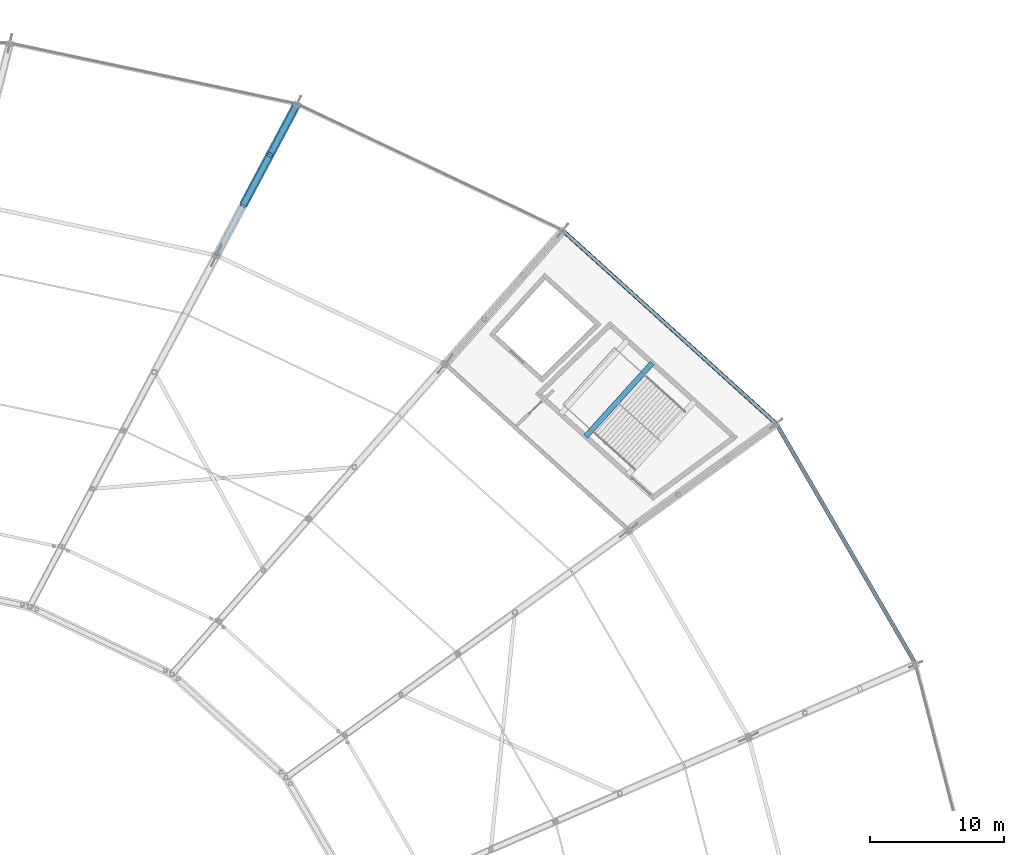
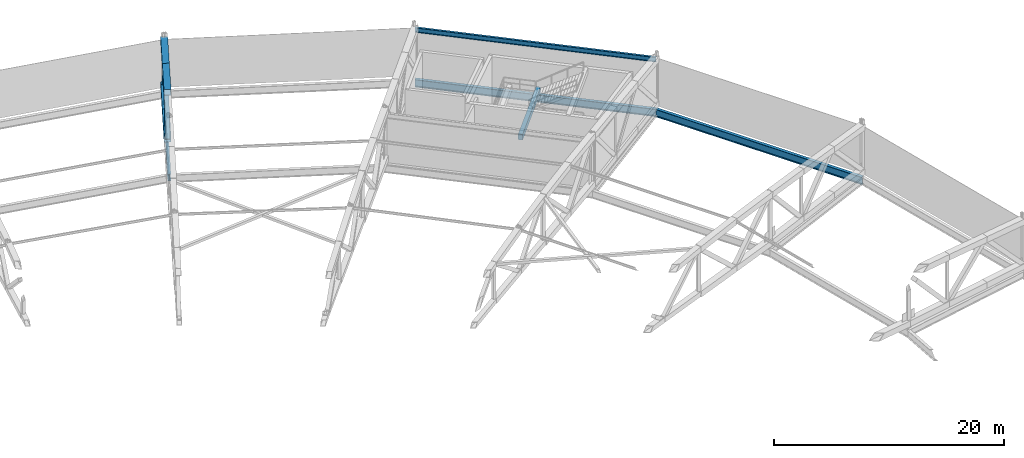
# One storey, part 89 of 162: 6 members, 5 beams.
"""IFC4 building model written with IfcOpenShell, lengths in metres."""

from ifc_helpers import new_model, si_unit, direction, frame, origin, origin_2d, place, context, subcontext, project, spatial, rectangle, hollow_rectangle, i_section, extrude, material, material_profile, profile_set, type_object, element, save


model = new_model("IFC4")

# Units and contexts
model_context = context("Model", 3, precision=1e-05, world=origin(), true_north=direction((0.0, 1.0)))
body_context = subcontext(model_context, "Body", "Model", "MODEL_VIEW")
ifc_project = project(units=[si_unit("LENGTHUNIT", "METRE"), si_unit("AREAUNIT", "SQUARE_METRE"), si_unit("VOLUMEUNIT", "CUBIC_METRE"), si_unit("PLANEANGLEUNIT", "RADIAN"), si_unit("MASSUNIT", "GRAM", prefix="KILO")], contexts=[model_context])

# Site, building, storey
site_placement = place(None, origin())
site = spatial("IfcSite", under=ifc_project, at=site_placement, CompositionType="ELEMENT")
building_placement = place(site_placement, origin())
building = spatial("IfcBuilding", under=site, at=building_placement, Name="Kazemori Nagisa Stadium", CompositionType="ELEMENT")
storey_placement = place(building_placement, frame((0.0, 0.0, 36.719970703125)))
storey = spatial("IfcBuildingStorey", under=building, at=storey_placement, Name="RF", CompositionType="ELEMENT", Elevation=36.719970703125)

# Beams
ifc_material_1 = material(Name="Steel SN490B", Category="steel")
ifc_material_profile_1 = material_profile(ifc_material_1, i_section(OverallWidth=0.199951171875, OverallDepth=0.5, WebThickness=0.010009765625, FlangeThickness=0.01611328125, FilletRadius=0.012939453125, at=origin_2d()), Name="H-500x200x10x16")
ifc_profile_set_1 = profile_set([ifc_material_profile_1], Name="Steel SN490B")
beam_type_1 = type_object("IfcBeamType", Name="Beam_BG-H500", PredefinedType="BEAM", material=ifc_profile_set_1)
beam_1_placement = place(storey_placement, frame((201.495361328125, 158.667724609375, 4.93994140625), z_axis=(-0.741351531326, 0.671116910084, 0.0), x_axis=(-0.671116910084, -0.741351531326, 0.0)))
element("IfcBeam", 1, at=beam_1_placement, inside=storey, type_object=beam_type_1, Name="Headhouse roof beam BG-H500 B04-out", PredefinedType="BEAM", context=body_context, shape_type="SweptSolid", body=[
    extrude(i_section(OverallWidth=0.199951171875, OverallDepth=0.5, WebThickness=0.010009765625, FlangeThickness=0.01611328125, FilletRadius=0.012939453125, at=origin_2d()), origin(), (0.0, 0.0, 1.0), 21.44384765625),
])
ifc_material_profile_2 = material_profile(ifc_material_1, i_section(OverallWidth=0.300048828125, OverallDepth=0.699951171875, WebThickness=0.012939453125, FlangeThickness=0.02392578125, FilletRadius=0.01806640625, at=origin_2d()), Name="H-700x300x13x24")
ifc_profile_set_2 = profile_set([ifc_material_profile_2], Name="Steel SN490B")
beam_type_2 = type_object("IfcBeamType", Name="Beam_BG-H700", PredefinedType="BEAM", material=ifc_profile_set_2)
beam_2_placement = place(storey_placement, frame((159.81201171875, 171.19921875, -0.6298828125), z_axis=(0.469648511848, 0.882853484628, 0.0), x_axis=(-0.882853484628, 0.469648511848, 0.0)))
element("IfcBeam", 2, at=beam_2_placement, inside=storey, type_object=beam_type_2, Name="Radial girder BG-H700 RF R2-R3-06", PredefinedType="BEAM", context=body_context, shape_type="SweptSolid", body=[
    extrude(i_section(OverallWidth=0.300048828125, OverallDepth=0.699951171875, WebThickness=0.012939453125, FlangeThickness=0.02392578125, FilletRadius=0.01806640625, at=origin_2d()), origin(), (0.0, 0.0, 1.0), 12.760009765625),
])
ifc_material_profile_3 = material_profile(ifc_material_1, i_section(OverallWidth=0.300048828125, OverallDepth=0.800048828125, WebThickness=0.013916015625, FlangeThickness=0.02587890625, FilletRadius=0.01806640625, at=origin_2d()), Name="H-800x300x14x26")
ifc_profile_set_3 = profile_set([ifc_material_profile_3], Name="Steel SN490B")
beam_type_3 = type_object("IfcBeamType", Name="Beam_BG-H800", PredefinedType="BEAM", material=ifc_profile_set_3)
beam_3_placement = place(storey_placement, frame((211.885009765625, 140.74951171875, -0.679931640625), z_axis=(-0.50161277459, 0.8650922635, 0.0), x_axis=(-0.8650922635, -0.50161277459, 0.0)))
element("IfcBeam", 3, at=beam_3_placement, inside=storey, type_object=beam_type_3, Name="Roof compression ring beam BG-H800 R3-03", PredefinedType="BEAM", context=body_context, shape_type="SweptSolid", body=[
    extrude(i_section(OverallWidth=0.300048828125, OverallDepth=0.800048828125, WebThickness=0.013916015625, FlangeThickness=0.02587890625, FilletRadius=0.01806640625, at=origin_2d()), origin(), (0.0, 0.0, 1.0), 20.71240234375),
])
beam_4_placement = place(storey_placement, frame((201.495361328125, 158.667724609375, -0.679931640625), z_axis=(-0.741351531326, 0.671116910084, 0.0), x_axis=(-0.671116910084, -0.741351531326, 0.0)))
element("IfcBeam", 4, at=beam_4_placement, inside=storey, type_object=beam_type_3, Name="Roof compression ring beam BG-H800 R3-04", PredefinedType="BEAM", context=body_context, shape_type="SweptSolid", body=[
    extrude(i_section(OverallWidth=0.300048828125, OverallDepth=0.800048828125, WebThickness=0.013916015625, FlangeThickness=0.02587890625, FilletRadius=0.01806640625, at=origin_2d()), origin(), (0.0, 0.0, 1.0), 21.44384765625),
])
ifc_material_2 = material(Name="Concrete C40/50 (Fc42)", Category="concrete")
ifc_material_profile_4 = material_profile(ifc_material_2, rectangle(XDim=0.39990234375, YDim=0.60009765625, at=origin_2d()), Name="RC-BM-400x600")
ifc_profile_set_4 = profile_set([ifc_material_profile_4], Name="Concrete C40/50 (Fc42)")
beam_type_4 = type_object("IfcBeamType", Name="Beam_BG-LND400X600", PredefinedType="BEAM", material=ifc_profile_set_4)
beam_5_placement = place(storey_placement, frame((187.307373046875, 157.717041015625, 2.219970703125), z_axis=(0.671129682405, 0.741339968837, 0.0), x_axis=(-0.741339968837, 0.671129682405, 0.0)))
element("IfcBeam", 5, at=beam_5_placement, inside=storey, type_object=beam_type_4, Name="Core stair mid-landing girder ST01-RF-1", PredefinedType="BEAM", context=body_context, shape_type="SweptSolid", body=[
    extrude(rectangle(XDim=0.39990234375, YDim=0.60009765625, at=origin_2d()), origin(), (0.0, 0.0, 1.0), 7.3857421875),
])

# Members
ifc_material_3 = material(Name="Steel STKR490", Category="steel")
ifc_material_profile_5 = material_profile(ifc_material_3, hollow_rectangle(XDim=0.419921875, YDim=0.419921875, WallThickness=0.01611328125, at=origin_2d()), Name="SHS-420x420x16")
ifc_profile_set_5 = profile_set([ifc_material_profile_5], Name="Steel STKR490")
member_type_1 = type_object("IfcMemberType", Name="Member_TB-SHS420", PredefinedType="BRACE", material=ifc_profile_set_5)
member_1_placement = place(storey_placement, frame((165.8046875, 182.46435546875, 0.360107421875), z_axis=(-0.309095104142, -0.581091293478, 0.752856643219), x_axis=(0.882869875406, -0.46961769888, 0.0)))
element("IfcMember", 6, at=member_1_placement, inside=storey, type_object=member_type_1, Name="Roof space truss diagonal RT-06-1", PredefinedType="BRACE", context=body_context, shape_type="SweptSolid", body=[
    extrude(hollow_rectangle(XDim=0.419921875, YDim=0.419921875, WallThickness=0.01611328125, at=origin_2d()), origin(), (0.0, 0.0, 1.0), 6.50830078125),
])
member_2_placement = place(storey_placement, frame((163.79296875, 178.682373046875, 5.260009765625), z_axis=(-0.308218417278, -0.579404764334, -0.754514099482), x_axis=(0.882856977969, -0.469641944945, 0.0)))
element("IfcMember", 7, at=member_2_placement, inside=storey, type_object=member_type_1, Name="Roof space truss diagonal RT-06-2", PredefinedType="BRACE", context=body_context, shape_type="SweptSolid", body=[
    extrude(hollow_rectangle(XDim=0.419921875, YDim=0.419921875, WallThickness=0.01611328125, at=origin_2d()), origin(), (0.0, 0.0, 1.0), 6.388427734375),
])
ifc_material_profile_6 = material_profile(ifc_material_3, hollow_rectangle(XDim=0.6201171875, YDim=0.6201171875, WallThickness=0.02197265625, at=origin_2d()), Name="SHS-620x620x22")
ifc_profile_set_6 = profile_set([ifc_material_profile_6], Name="Steel STKR490")
member_type_2 = type_object("IfcMemberType", Name="Member_TC-SHS620", PredefinedType="CHORD", material=ifc_profile_set_6)
member_3_placement = place(storey_placement, frame((165.8046875, 182.46435546875, 5.10009765625), z_axis=(-0.469290826717, -0.882255363674, 0.037304064502), x_axis=(0.882869875406, -0.46961769888, 0.0)))
element("IfcMember", 8, at=member_3_placement, inside=storey, type_object=member_type_2, Name="Roof space truss top chord RT-06-1", PredefinedType="CHORD", context=body_context, shape_type="SweptSolid", body=[
    extrude(hollow_rectangle(XDim=0.6201171875, YDim=0.6201171875, WallThickness=0.02197265625, at=origin_2d()), origin(), (0.0, 0.0, 1.0), 4.28662109375),
])
member_4_placement = place(storey_placement, frame((165.8046875, 182.46435546875, 0.360107421875), z_axis=(-0.469597186871, -0.882831313327, 0.009346351778), x_axis=(0.882869875406, -0.46961769888, 0.0)))
element("IfcMember", 9, at=member_4_placement, inside=storey, type_object=member_type_2, Name="Roof space truss bottom chord RT-06-1", PredefinedType="CHORD", context=body_context, shape_type="SweptSolid", body=[
    extrude(hollow_rectangle(XDim=0.6201171875, YDim=0.6201171875, WallThickness=0.02197265625, at=origin_2d()), origin(), (0.0, 0.0, 1.0), 4.283935546875),
])
member_5_placement = place(storey_placement, frame((163.79296875, 178.682373046875, 5.260009765625), z_axis=(-0.469300696291, -0.882215481274, 0.038114315694), x_axis=(0.882856977969, -0.469641944945, 0.0)))
element("IfcMember", 10, at=member_5_placement, inside=storey, type_object=member_type_2, Name="Roof space truss top chord RT-06-2", PredefinedType="CHORD", context=body_context, shape_type="SweptSolid", body=[
    extrude(hollow_rectangle(XDim=0.6201171875, YDim=0.6201171875, WallThickness=0.02197265625, at=origin_2d()), origin(), (0.0, 0.0, 1.0), 4.195556640625),
])
member_6_placement = place(storey_placement, frame((163.79296875, 178.682373046875, 0.400146484375), z_axis=(-0.469620790202, -0.882817210199, 0.009491405927), x_axis=(0.882856977969, -0.469641944945, 0.0)))
element("IfcMember", 11, at=member_6_placement, inside=storey, type_object=member_type_2, Name="Roof space truss bottom chord RT-06-2", PredefinedType="CHORD", context=body_context, shape_type="SweptSolid", body=[
    extrude(hollow_rectangle(XDim=0.6201171875, YDim=0.6201171875, WallThickness=0.02197265625, at=origin_2d()), origin(), (0.0, 0.0, 1.0), 4.192626953125),
])

save(model, "model.ifc")
